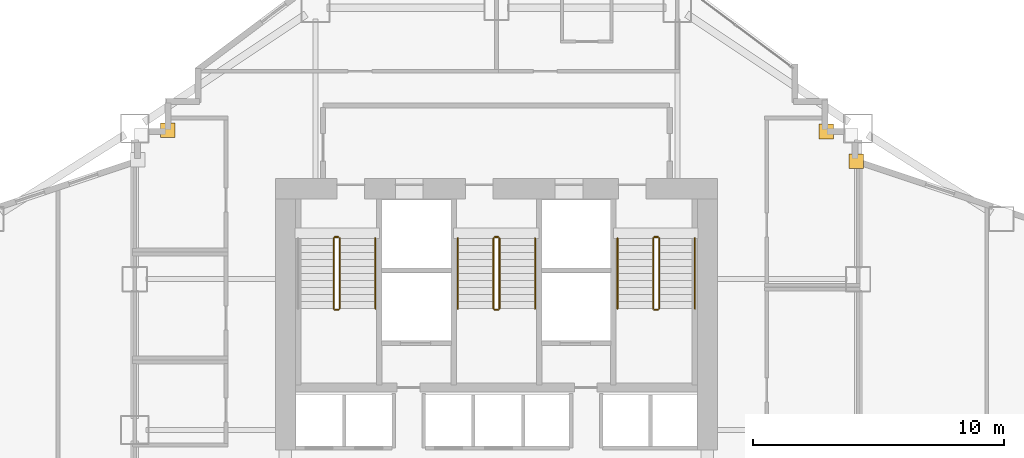
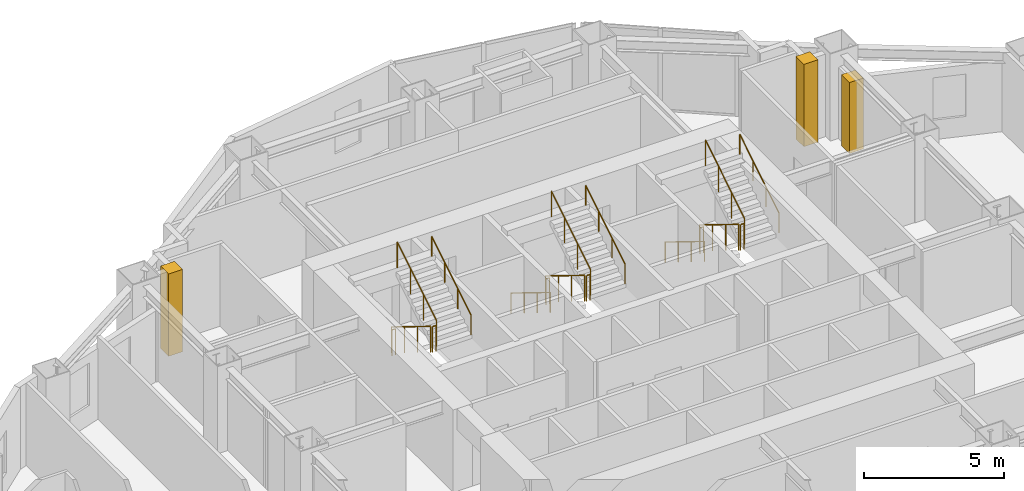
# One storey, part 14 of 15: 17 railings, 3 coverings.
"""IFC4 building model written with IfcOpenShell, lengths in metres."""

from ifc_helpers import new_model, si_unit, direction, frame, origin, origin_2d, place, context, subcontext, project, spatial, rectangle, circle, extrude, material, layer, layer_set, type_object, element, save


model = new_model("IFC4")

# Units and contexts
model_context = context("Model", 3, precision=1e-05, world=origin(), true_north=direction((0.0, 1.0)))
body_context = subcontext(model_context, "Body", "Model", "MODEL_VIEW")
ifc_project = project(units=[si_unit("LENGTHUNIT", "METRE"), si_unit("AREAUNIT", "SQUARE_METRE"), si_unit("VOLUMEUNIT", "CUBIC_METRE"), si_unit("PLANEANGLEUNIT", "RADIAN"), si_unit("MASSUNIT", "GRAM", prefix="KILO")], contexts=[model_context])

# Site, building, storey
site_placement = place(None, origin())
site = spatial("IfcSite", under=ifc_project, at=site_placement, CompositionType="ELEMENT")
building_placement = place(site_placement, origin())
building = spatial("IfcBuilding", under=site, at=building_placement, Name="Haolan Belvedere Tower", CompositionType="ELEMENT")
storey_placement = place(building_placement, frame((0.0, 0.0, 70.39990234375)))
storey = spatial("IfcBuildingStorey", under=building, at=storey_placement, Name="L17", CompositionType="ELEMENT", Elevation=70.39990234375)

# Coverings
ifc_material_1 = material(Name="Pale champagne-silver anodised aluminium rainscreen cladding", Category="aluminium")
ifc_layer = layer(ifc_material_1, 0.034912109375, Name="Pale champagne-silver anodised aluminium rainscreen cladding")
ifc_layer_set = layer_set([ifc_layer], Name="Pale champagne-silver anodised aluminium rainscreen cladding")
covering_type = type_object("IfcCoveringType", Name="COV-CLAD-35", PredefinedType="CLADDING", material=ifc_layer_set)
covering_placement = place(storey_placement, frame((52.72021484375, 44.300048828125, 0.0), z_axis=(0.0, 0.0, 1.0), x_axis=(1.0, 0.0, 0.0)))
element("IfcCovering", 1, at=covering_placement, inside=storey, type_object=covering_type, Name="L17 pale-metal serrated corner cladding trim 7", PredefinedType="CLADDING", context=body_context, shape_type="SweptSolid", body=[
    extrude(rectangle(XDim=0.580078125, YDim=0.580078125, at=origin_2d()), origin(), (0.0, 0.0, 1.0), 3.096923828125),
])
for number, where, z_axis, x_axis, name in (
    (2, (51.5224609375, 45.47998046875, 0.0), (0.0, 0.0, 1.0), (1.0, 0.0, 0.0), "L17 pale-metal serrated corner cladding trim 8"),
    (3, (25.320068359375, 45.5224609375, 0.0), (0.0, 0.0, 1.0), (1.0, 0.0, 0.0), "L17 pale-metal serrated corner cladding trim 9"),
):
    element("IfcCovering", number, at=place(storey_placement, frame(where, z_axis=z_axis, x_axis=x_axis)), inside=storey, type_object=covering_type, Name=name, PredefinedType="CLADDING", context=body_context, shape_type="SweptSolid", body=[
        extrude(rectangle(XDim=0.580078125, YDim=0.580078125, at=origin_2d()), origin(), (0.0, 0.0, 1.0), 3.60009765625),
    ])

# Railings
ifc_material_2 = material(Name="Brushed stainless steel 304", Category="steel")
railing_type_1 = type_object("IfcRailingType", Name="RL-STAIR-GRD-1150", PredefinedType="GUARDRAIL", material=ifc_material_2)
railing_1_placement = place(storey_placement, frame((31.919921875, 41.22998046875, 0.1728515625)))
element("IfcRailing", 4, at=railing_1_placement, inside=storey, type_object=railing_type_1, Name="L17 ST1 stair guard 1", PredefinedType="GUARDRAIL", context=body_context, shape_type="SweptSolid", body=[
    extrude(circle(Radius=0.02392578125, at=origin_2d()), frame((0.0, 0.0, 1.1259765625), z_axis=(0.0, -0.851089632645, 0.525020415988), x_axis=(1.0, 0.0, 0.0)), (0.0, 0.0, 1.0), 3.2900390625),
    extrude(circle(Radius=0.02099609375, at=origin_2d()), origin(), (0.0, 0.0, 1.0), 1.101806640625),
    extrude(circle(Radius=0.02099609375, at=origin_2d()), frame((0.0, -0.933349609375, 0.57568359375)), (0.0, 0.0, 1.0), 1.101806640625),
    extrude(circle(Radius=0.02099609375, at=origin_2d()), frame((0.0, -1.86669921875, 1.151611328125)), (0.0, 0.0, 1.0), 1.101806640625),
    extrude(circle(Radius=0.02099609375, at=origin_2d()), frame((0.0, -2.800048828125, 1.727294921875)), (0.0, 0.0, 1.0), 1.101806640625),
])
railing_2_placement = place(storey_placement, frame((31.969970703125, 38.3798828125, 1.900146484375)))
element("IfcRailing", 5, at=railing_2_placement, inside=storey, type_object=railing_type_1, Name="L17 ST1 stair guard 2", PredefinedType="GUARDRAIL", context=body_context, shape_type="SweptSolid", body=[
    extrude(circle(Radius=0.02392578125, at=origin_2d()), frame((0.0, 0.0, 1.1259765625), z_axis=(1.0, 0.0, 0.0), x_axis=(0.0, 1.0, 0.0)), (0.0, 0.0, 1.0), 0.14013671875),
    extrude(circle(Radius=0.02099609375, at=origin_2d()), origin(), (0.0, 0.0, 1.0), 1.101806640625),
    extrude(circle(Radius=0.02099609375, at=origin_2d()), frame((0.14013671875, 0.0, 0.0)), (0.0, 0.0, 1.0), 1.101806640625),
])
railing_3_placement = place(storey_placement, frame((32.159912109375, 38.429931640625, 2.07275390625)))
element("IfcRailing", 6, at=railing_3_placement, inside=storey, type_object=railing_type_1, Name="L17 ST1 stair guard 3", PredefinedType="GUARDRAIL", context=body_context, shape_type="SweptSolid", body=[
    extrude(circle(Radius=0.02392578125, at=origin_2d()), frame((0.0, 0.0, 1.1259765625), z_axis=(0.0, 0.851089632645, 0.525020415988), x_axis=(-1.0, 0.0, 0.0)), (0.0, 0.0, 1.0), 3.2900390625),
    extrude(circle(Radius=0.02099609375, at=origin_2d()), origin(), (0.0, 0.0, 1.0), 1.101806640625),
    extrude(circle(Radius=0.02099609375, at=origin_2d()), frame((0.0, 0.933349609375, 0.57568359375)), (0.0, 0.0, 1.0), 1.101806640625),
    extrude(circle(Radius=0.02099609375, at=origin_2d()), frame((0.0, 1.86669921875, 1.151611328125)), (0.0, 0.0, 1.0), 1.101806640625),
    extrude(circle(Radius=0.02099609375, at=origin_2d()), frame((0.0, 2.800048828125, 1.727294921875)), (0.0, 0.0, 1.0), 1.101806640625),
])
railing_4_placement = place(storey_placement, frame((31.969970703125, 41.280029296875, 0.0)))
element("IfcRailing", 7, at=railing_4_placement, inside=storey, type_object=railing_type_1, Name="L17 ST1 stair guard 4", PredefinedType="GUARDRAIL", context=body_context, shape_type="SweptSolid", body=[
    extrude(circle(Radius=0.02392578125, at=origin_2d()), frame((0.0, 0.0, 1.1259765625), z_axis=(1.0, 0.0, 0.0), x_axis=(0.0, 1.0, 0.0)), (0.0, 0.0, 1.0), 0.14013671875),
    extrude(circle(Radius=0.02099609375, at=origin_2d()), origin(), (0.0, 0.0, 1.0), 1.101806640625),
    extrude(circle(Radius=0.02099609375, at=origin_2d()), frame((0.14013671875, 0.0, 0.0)), (0.0, 0.0, 1.0), 1.101806640625),
])
railing_5_placement = place(storey_placement, frame((38.280029296875, 41.22998046875, 0.1728515625)))
element("IfcRailing", 8, at=railing_5_placement, inside=storey, type_object=railing_type_1, Name="L17 ST3 stair guard 1", PredefinedType="GUARDRAIL", context=body_context, shape_type="SweptSolid", body=[
    extrude(circle(Radius=0.02392578125, at=origin_2d()), frame((0.0, 0.0, 1.1259765625), z_axis=(0.0, -0.851089632645, 0.525020415988), x_axis=(1.0, 0.0, 0.0)), (0.0, 0.0, 1.0), 3.2900390625),
    extrude(circle(Radius=0.02099609375, at=origin_2d()), origin(), (0.0, 0.0, 1.0), 1.101806640625),
    extrude(circle(Radius=0.02099609375, at=origin_2d()), frame((0.0, -0.933349609375, 0.57568359375)), (0.0, 0.0, 1.0), 1.101806640625),
    extrude(circle(Radius=0.02099609375, at=origin_2d()), frame((0.0, -1.86669921875, 1.151611328125)), (0.0, 0.0, 1.0), 1.101806640625),
    extrude(circle(Radius=0.02099609375, at=origin_2d()), frame((0.0, -2.800048828125, 1.727294921875)), (0.0, 0.0, 1.0), 1.101806640625),
])
railing_6_placement = place(storey_placement, frame((38.330078125, 38.3798828125, 1.900146484375)))
element("IfcRailing", 9, at=railing_6_placement, inside=storey, type_object=railing_type_1, Name="L17 ST3 stair guard 2", PredefinedType="GUARDRAIL", context=body_context, shape_type="SweptSolid", body=[
    extrude(circle(Radius=0.02392578125, at=origin_2d()), frame((0.0, 0.0, 1.1259765625), z_axis=(1.0, 0.0, 0.0), x_axis=(0.0, 1.0, 0.0)), (0.0, 0.0, 1.0), 0.139892578125),
    extrude(circle(Radius=0.02099609375, at=origin_2d()), origin(), (0.0, 0.0, 1.0), 1.101806640625),
    extrude(circle(Radius=0.02099609375, at=origin_2d()), frame((0.139892578125, 0.0, 0.0)), (0.0, 0.0, 1.0), 1.101806640625),
])
railing_7_placement = place(storey_placement, frame((38.52001953125, 38.429931640625, 2.07275390625)))
element("IfcRailing", 10, at=railing_7_placement, inside=storey, type_object=railing_type_1, Name="L17 ST3 stair guard 3", PredefinedType="GUARDRAIL", context=body_context, shape_type="SweptSolid", body=[
    extrude(circle(Radius=0.02392578125, at=origin_2d()), frame((0.0, 0.0, 1.1259765625), z_axis=(0.0, 0.851089632645, 0.525020415988), x_axis=(-1.0, 0.0, 0.0)), (0.0, 0.0, 1.0), 3.2900390625),
    extrude(circle(Radius=0.02099609375, at=origin_2d()), origin(), (0.0, 0.0, 1.0), 1.101806640625),
    extrude(circle(Radius=0.02099609375, at=origin_2d()), frame((0.0, 0.933349609375, 0.57568359375)), (0.0, 0.0, 1.0), 1.101806640625),
    extrude(circle(Radius=0.02099609375, at=origin_2d()), frame((0.0, 1.86669921875, 1.151611328125)), (0.0, 0.0, 1.0), 1.101806640625),
    extrude(circle(Radius=0.02099609375, at=origin_2d()), frame((0.0, 2.800048828125, 1.727294921875)), (0.0, 0.0, 1.0), 1.101806640625),
])
railing_8_placement = place(storey_placement, frame((38.330078125, 41.280029296875, 0.0)))
element("IfcRailing", 11, at=railing_8_placement, inside=storey, type_object=railing_type_1, Name="L17 ST3 stair guard 4", PredefinedType="GUARDRAIL", context=body_context, shape_type="SweptSolid", body=[
    extrude(circle(Radius=0.02392578125, at=origin_2d()), frame((0.0, 0.0, 1.1259765625), z_axis=(1.0, 0.0, 0.0), x_axis=(0.0, 1.0, 0.0)), (0.0, 0.0, 1.0), 0.139892578125),
    extrude(circle(Radius=0.02099609375, at=origin_2d()), origin(), (0.0, 0.0, 1.0), 1.101806640625),
    extrude(circle(Radius=0.02099609375, at=origin_2d()), frame((0.139892578125, 0.0, 0.0)), (0.0, 0.0, 1.0), 1.101806640625),
])
railing_9_placement = place(storey_placement, frame((44.639892578125, 41.22998046875, 0.1728515625)))
element("IfcRailing", 12, at=railing_9_placement, inside=storey, type_object=railing_type_1, Name="L17 ST2 stair guard 1", PredefinedType="GUARDRAIL", context=body_context, shape_type="SweptSolid", body=[
    extrude(circle(Radius=0.02392578125, at=origin_2d()), frame((0.0, 0.0, 1.1259765625), z_axis=(0.0, -0.851089632645, 0.525020415988), x_axis=(1.0, 0.0, 0.0)), (0.0, 0.0, 1.0), 3.2900390625),
    extrude(circle(Radius=0.02099609375, at=origin_2d()), origin(), (0.0, 0.0, 1.0), 1.101806640625),
    extrude(circle(Radius=0.02099609375, at=origin_2d()), frame((0.0, -0.933349609375, 0.57568359375)), (0.0, 0.0, 1.0), 1.101806640625),
    extrude(circle(Radius=0.02099609375, at=origin_2d()), frame((0.0, -1.86669921875, 1.151611328125)), (0.0, 0.0, 1.0), 1.101806640625),
    extrude(circle(Radius=0.02099609375, at=origin_2d()), frame((0.0, -2.800048828125, 1.727294921875)), (0.0, 0.0, 1.0), 1.101806640625),
])
railing_10_placement = place(storey_placement, frame((44.68994140625, 38.3798828125, 1.900146484375)))
element("IfcRailing", 13, at=railing_10_placement, inside=storey, type_object=railing_type_1, Name="L17 ST2 stair guard 2", PredefinedType="GUARDRAIL", context=body_context, shape_type="SweptSolid", body=[
    extrude(circle(Radius=0.02392578125, at=origin_2d()), frame((0.0, 0.0, 1.1259765625), z_axis=(1.0, 0.0, 0.0), x_axis=(0.0, 1.0, 0.0)), (0.0, 0.0, 1.0), 0.14013671875),
    extrude(circle(Radius=0.02099609375, at=origin_2d()), origin(), (0.0, 0.0, 1.0), 1.101806640625),
    extrude(circle(Radius=0.02099609375, at=origin_2d()), frame((0.14013671875, 0.0, 0.0)), (0.0, 0.0, 1.0), 1.101806640625),
])
railing_11_placement = place(storey_placement, frame((44.8798828125, 38.429931640625, 2.07275390625)))
element("IfcRailing", 14, at=railing_11_placement, inside=storey, type_object=railing_type_1, Name="L17 ST2 stair guard 3", PredefinedType="GUARDRAIL", context=body_context, shape_type="SweptSolid", body=[
    extrude(circle(Radius=0.02392578125, at=origin_2d()), frame((0.0, 0.0, 1.1259765625), z_axis=(0.0, 0.851089632645, 0.525020415988), x_axis=(-1.0, 0.0, 0.0)), (0.0, 0.0, 1.0), 3.2900390625),
    extrude(circle(Radius=0.02099609375, at=origin_2d()), origin(), (0.0, 0.0, 1.0), 1.101806640625),
    extrude(circle(Radius=0.02099609375, at=origin_2d()), frame((0.0, 0.933349609375, 0.57568359375)), (0.0, 0.0, 1.0), 1.101806640625),
    extrude(circle(Radius=0.02099609375, at=origin_2d()), frame((0.0, 1.86669921875, 1.151611328125)), (0.0, 0.0, 1.0), 1.101806640625),
    extrude(circle(Radius=0.02099609375, at=origin_2d()), frame((0.0, 2.800048828125, 1.727294921875)), (0.0, 0.0, 1.0), 1.101806640625),
])
railing_12_placement = place(storey_placement, frame((44.68994140625, 41.280029296875, 0.0)))
element("IfcRailing", 15, at=railing_12_placement, inside=storey, type_object=railing_type_1, Name="L17 ST2 stair guard 4", PredefinedType="GUARDRAIL", context=body_context, shape_type="SweptSolid", body=[
    extrude(circle(Radius=0.02392578125, at=origin_2d()), frame((0.0, 0.0, 1.1259765625), z_axis=(1.0, 0.0, 0.0), x_axis=(0.0, 1.0, 0.0)), (0.0, 0.0, 1.0), 0.14013671875),
    extrude(circle(Radius=0.02099609375, at=origin_2d()), origin(), (0.0, 0.0, 1.0), 1.101806640625),
    extrude(circle(Radius=0.02099609375, at=origin_2d()), frame((0.14013671875, 0.0, 0.0)), (0.0, 0.0, 1.0), 1.101806640625),
])
railing_type_2 = type_object("IfcRailingType", Name="RL-STAIR-HND-900", PredefinedType="HANDRAIL", material=ifc_material_2)
railing_13_placement = place(storey_placement, frame((33.580078125, 38.429931640625, 2.07275390625)))
element("IfcRailing", 16, at=railing_13_placement, inside=storey, type_object=railing_type_2, Name="L17 ST1 stair handrail 2", PredefinedType="HANDRAIL", context=body_context, shape_type="SweptSolid", body=[
    extrude(circle(Radius=0.02392578125, at=origin_2d()), frame((0.0, 0.0, 0.8759765625), z_axis=(0.0, 0.851089632645, 0.525020415988), x_axis=(-1.0, 0.0, 0.0)), (0.0, 0.0, 1.0), 3.2900390625),
    extrude(circle(Radius=0.02099609375, at=origin_2d()), origin(), (0.0, 0.0, 1.0), 0.851806640625),
    extrude(circle(Radius=0.02099609375, at=origin_2d()), frame((0.0, 0.933349609375, 0.57568359375)), (0.0, 0.0, 1.0), 0.851806640625),
    extrude(circle(Radius=0.02099609375, at=origin_2d()), frame((0.0, 1.86669921875, 1.151611328125)), (0.0, 0.0, 1.0), 0.851806640625),
    extrude(circle(Radius=0.02099609375, at=origin_2d()), frame((0.0, 2.800048828125, 1.727294921875)), (0.0, 0.0, 1.0), 0.851806640625),
])
railing_14_placement = place(storey_placement, frame((36.860107421875, 41.22998046875, 0.1728515625)))
element("IfcRailing", 17, at=railing_14_placement, inside=storey, type_object=railing_type_2, Name="L17 ST3 stair handrail 1", PredefinedType="HANDRAIL", context=body_context, shape_type="SweptSolid", body=[
    extrude(circle(Radius=0.02392578125, at=origin_2d()), frame((0.0, 0.0, 0.8759765625), z_axis=(0.0, -0.851089632645, 0.525020415988), x_axis=(1.0, 0.0, 0.0)), (0.0, 0.0, 1.0), 3.2900390625),
    extrude(circle(Radius=0.02099609375, at=origin_2d()), origin(), (0.0, 0.0, 1.0), 0.851806640625),
    extrude(circle(Radius=0.02099609375, at=origin_2d()), frame((0.0, -0.933349609375, 0.57568359375)), (0.0, 0.0, 1.0), 0.851806640625),
    extrude(circle(Radius=0.02099609375, at=origin_2d()), frame((0.0, -1.86669921875, 1.151611328125)), (0.0, 0.0, 1.0), 0.851806640625),
    extrude(circle(Radius=0.02099609375, at=origin_2d()), frame((0.0, -2.800048828125, 1.727294921875)), (0.0, 0.0, 1.0), 0.851806640625),
])
railing_15_placement = place(storey_placement, frame((39.93994140625, 38.429931640625, 2.07275390625)))
element("IfcRailing", 18, at=railing_15_placement, inside=storey, type_object=railing_type_2, Name="L17 ST3 stair handrail 2", PredefinedType="HANDRAIL", context=body_context, shape_type="SweptSolid", body=[
    extrude(circle(Radius=0.02392578125, at=origin_2d()), frame((0.0, 0.0, 0.8759765625), z_axis=(0.0, 0.851089632645, 0.525020415988), x_axis=(-1.0, 0.0, 0.0)), (0.0, 0.0, 1.0), 3.2900390625),
    extrude(circle(Radius=0.02099609375, at=origin_2d()), origin(), (0.0, 0.0, 1.0), 0.851806640625),
    extrude(circle(Radius=0.02099609375, at=origin_2d()), frame((0.0, 0.933349609375, 0.57568359375)), (0.0, 0.0, 1.0), 0.851806640625),
    extrude(circle(Radius=0.02099609375, at=origin_2d()), frame((0.0, 1.86669921875, 1.151611328125)), (0.0, 0.0, 1.0), 0.851806640625),
    extrude(circle(Radius=0.02099609375, at=origin_2d()), frame((0.0, 2.800048828125, 1.727294921875)), (0.0, 0.0, 1.0), 0.851806640625),
])
railing_16_placement = place(storey_placement, frame((43.219970703125, 41.22998046875, 0.1728515625)))
element("IfcRailing", 19, at=railing_16_placement, inside=storey, type_object=railing_type_2, Name="L17 ST2 stair handrail 1", PredefinedType="HANDRAIL", context=body_context, shape_type="SweptSolid", body=[
    extrude(circle(Radius=0.02392578125, at=origin_2d()), frame((0.0, 0.0, 0.8759765625), z_axis=(0.0, -0.851089632645, 0.525020415988), x_axis=(1.0, 0.0, 0.0)), (0.0, 0.0, 1.0), 3.2900390625),
    extrude(circle(Radius=0.02099609375, at=origin_2d()), origin(), (0.0, 0.0, 1.0), 0.851806640625),
    extrude(circle(Radius=0.02099609375, at=origin_2d()), frame((0.0, -0.933349609375, 0.57568359375)), (0.0, 0.0, 1.0), 0.851806640625),
    extrude(circle(Radius=0.02099609375, at=origin_2d()), frame((0.0, -1.86669921875, 1.151611328125)), (0.0, 0.0, 1.0), 0.851806640625),
    extrude(circle(Radius=0.02099609375, at=origin_2d()), frame((0.0, -2.800048828125, 1.727294921875)), (0.0, 0.0, 1.0), 0.851806640625),
])
railing_17_placement = place(storey_placement, frame((46.300048828125, 38.429931640625, 2.07275390625)))
element("IfcRailing", 20, at=railing_17_placement, inside=storey, type_object=railing_type_2, Name="L17 ST2 stair handrail 2", PredefinedType="HANDRAIL", context=body_context, shape_type="SweptSolid", body=[
    extrude(circle(Radius=0.02392578125, at=origin_2d()), frame((0.0, 0.0, 0.8759765625), z_axis=(0.0, 0.851089632645, 0.525020415988), x_axis=(-1.0, 0.0, 0.0)), (0.0, 0.0, 1.0), 3.2900390625),
    extrude(circle(Radius=0.02099609375, at=origin_2d()), origin(), (0.0, 0.0, 1.0), 0.851806640625),
    extrude(circle(Radius=0.02099609375, at=origin_2d()), frame((0.0, 0.933349609375, 0.57568359375)), (0.0, 0.0, 1.0), 0.851806640625),
    extrude(circle(Radius=0.02099609375, at=origin_2d()), frame((0.0, 1.86669921875, 1.151611328125)), (0.0, 0.0, 1.0), 0.851806640625),
    extrude(circle(Radius=0.02099609375, at=origin_2d()), frame((0.0, 2.800048828125, 1.727294921875)), (0.0, 0.0, 1.0), 0.851806640625),
])

save(model, "model.ifc")
